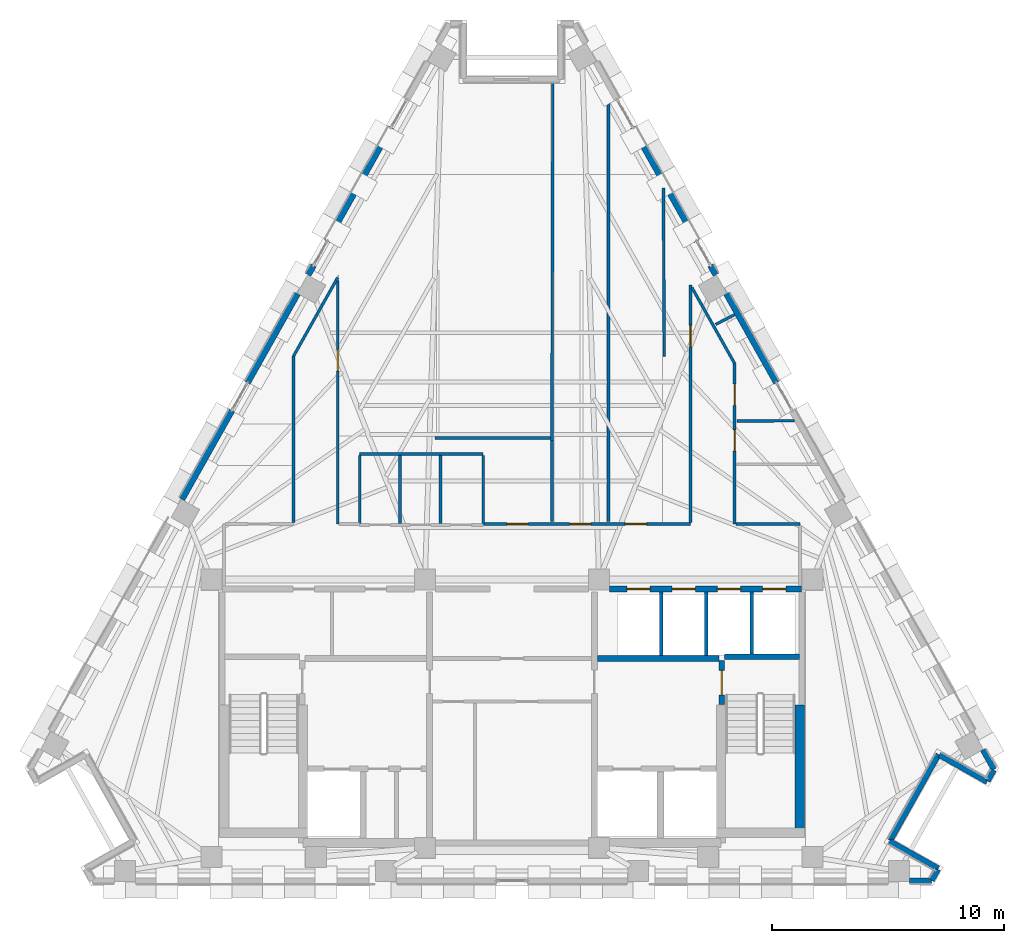
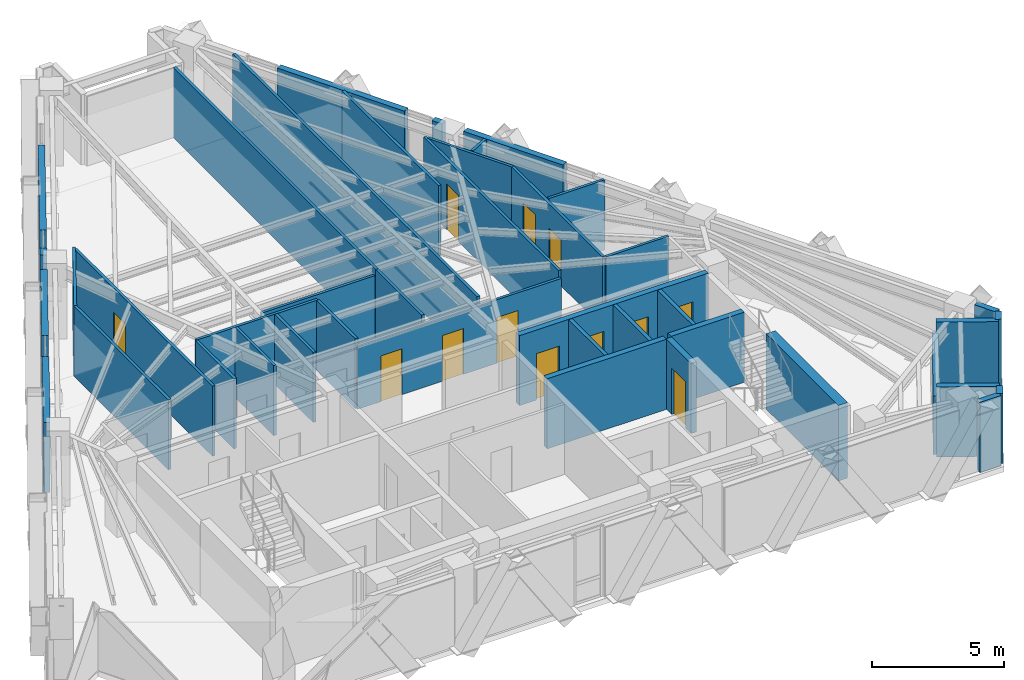
# One storey, part 8 of 13: 42 walls, 12 doors, 12 openings.
"""IFC4 building model written with IfcOpenShell, lengths in metres."""

from ifc_helpers import new_model, si_unit, direction, frame, frame_2d, origin, place, context, subcontext, project, spatial, rectangle, extrude, material, layer, layer_set, type_object, element, fill, save


model = new_model("IFC4")

# Units and contexts
model_context = context("Model", 3, precision=1e-05, world=origin(), true_north=direction((0.0, 1.0)))
body_context = subcontext(model_context, "Body", "Model", "MODEL_VIEW")
ifc_project = project(units=[si_unit("LENGTHUNIT", "METRE"), si_unit("AREAUNIT", "SQUARE_METRE"), si_unit("VOLUMEUNIT", "CUBIC_METRE"), si_unit("PLANEANGLEUNIT", "RADIAN"), si_unit("MASSUNIT", "GRAM", prefix="KILO")], contexts=[model_context])

# Site, building, storey
site_placement = place(None, origin())
site = spatial("IfcSite", under=ifc_project, at=site_placement, CompositionType="ELEMENT")
building_placement = place(site_placement, origin())
building = spatial("IfcBuilding", under=site, at=building_placement, Name="Quenlor Broadcast Tower", CompositionType="ELEMENT")
storey_placement = place(building_placement, frame((0.0, 0.0, 207.89990234375)))
storey = spatial("IfcBuildingStorey", under=building, at=storey_placement, Name="L57", CompositionType="ELEMENT", Elevation=207.89990234375)

# Wall
ifc_material_1 = material(Name="Concrete C50/60", Category="concrete")
ifc_layer_1 = layer(ifc_material_1, 0.39990234375)
ifc_layer_set_1 = layer_set([ifc_layer_1], Name="Core Concrete C50/60 Shear Wall 400")
wall_type_1 = type_object("IfcWallType", Name="Core Concrete C50/60 Shear Wall 400", PredefinedType="SHEAR", material=ifc_layer_set_1)
wall_1_placement = place(storey_placement, frame((12.39990234375, -15.699951171875, 0.0), z_axis=(0.0, 0.0, 1.0), x_axis=(0.0, 1.0, 0.0)))
element("IfcWall", 1, at=wall_1_placement, inside=storey, type_object=wall_type_1, Name="L57 Core Shear Wall WF-E", PredefinedType="SHEAR", context=body_context, shape_type="SweptSolid", body=[
    extrude(rectangle(XDim=5.5, YDim=0.39990234375, at=frame_2d((2.75, 0.0))), origin(), (0.0, 0.0, 1.0), 3.5),
])

# Wall, opening, door
ifc_material_2 = material(Name="Concrete C40/50", Category="concrete")
ifc_layer_2 = layer(ifc_material_2, 0.25)
ifc_layer_set_2 = layer_set([ifc_layer_2], Name="Fire Rated Concrete C40/50 Core Wall 250")
wall_type_2 = type_object("IfcWallType", Name="Fire Rated Concrete C40/50 Core Wall 250", PredefinedType="PARTITIONING", material=ifc_layer_set_2)
wall_2_placement = place(storey_placement, frame((9.0400390625, -10.179931640625, 0.0), z_axis=(0.0, 0.0, 1.0), x_axis=(0.0, 1.0, 0.0)))
wall_2 = element("IfcWall", 2, at=wall_2_placement, inside=storey, type_object=wall_type_2, Name="L57 Interior Wall CW-ST2-DR", PredefinedType="PARTITIONING", context=body_context, shape_type="SweptSolid", body=[
    extrude(rectangle(XDim=1.89990234375, YDim=0.25, at=frame_2d((0.949951171875, 0.0))), origin(), (0.0, 0.0, 1.0), 3.25),
])
opening_1_placement = place(wall_2_placement, frame((0.419921875, 0.0, 0.0)))
opening_1 = element("IfcOpeningElement", 3, at=opening_1_placement, cuts=wall_2, Name="Opening FD-1", PredefinedType="OPENING", context=body_context, shape_type="SweptSolid", body=[
    extrude(rectangle(XDim=1.050048828125, YDim=2.14990234375, at=frame_2d((0.52490234375, 1.074951171875))), frame((0.0, 0.135009765625, 0.0), z_axis=(0.0, -1.0, 0.0), x_axis=(1.0, 0.0, 0.0)), (0.0, 0.0, 1.0), 0.27001953125),
])
ifc_material_3 = material(Name="Fire Rated Steel Door Leaf", Category="steel")
door_type_1 = type_object("IfcDoorType", Name="Fire Isolated Stair Door 1050x2150", OperationType="NOTDEFINED", PredefinedType="DOOR", material=ifc_material_3)
door_1_placement = place(opening_1_placement, origin())
door_1 = element("IfcDoor", 4, at=door_1_placement, inside=storey, type_object=door_type_1, Name="L57 Door DR-ST2", OperationType="SINGLE_SWING_RIGHT", OverallHeight=2.14990234375, OverallWidth=1.050048828125, PredefinedType="DOOR", context=body_context, shape_type="SweptSolid", body=[
    extrude(rectangle(XDim=1.050048828125, YDim=2.14990234375, at=frame_2d((0.52490234375, 1.074951171875))), frame((0.0, 0.02490234375, 0.0), z_axis=(0.0, -1.0, 0.0), x_axis=(1.0, 0.0, 0.0)), (0.0, 0.0, 1.0), 0.050048828125),
])
fill(opening_1, door_1)

# Walls
wall_3_placement = place(storey_placement, frame((9.159912109375, -8.1201171875, 0.0), z_axis=(0.0, 0.0, 1.0), x_axis=(1.0, 0.0, 0.0)))
element("IfcWall", 5, at=wall_3_placement, inside=storey, type_object=wall_type_2, Name="L57 Interior Wall CW-ST2-N", PredefinedType="PARTITIONING", context=body_context, shape_type="SweptSolid", body=[
    extrude(rectangle(XDim=3.219970703125, YDim=0.25, at=frame_2d((1.60986328125, 0.0))), origin(), (0.0, 0.0, 1.0), 3.25),
])
wall_4_placement = place(storey_placement, frame((3.679931640625, -8.199951171875, 0.0), z_axis=(0.0, 0.0, 1.0), x_axis=(1.0, 0.0, 0.0)))
element("IfcWall", 6, at=wall_4_placement, inside=storey, type_object=wall_type_2, Name="L57 Interior Wall CW-FFE-N", PredefinedType="PARTITIONING", context=body_context, shape_type="SweptSolid", body=[
    extrude(rectangle(XDim=5.239990234375, YDim=0.25, at=frame_2d((2.6201171875, 0.0))), origin(), (0.0, 0.0, 1.0), 3.25),
])

# Wall, openings, doors
wall_5_placement = place(storey_placement, frame((4.201904296875, -5.199951171875, 0.0), z_axis=(0.0, 0.0, 1.0), x_axis=(1.0, 0.0, 0.0)))
wall_5 = element("IfcWall", 7, at=wall_5_placement, inside=storey, type_object=wall_type_2, Name="L57 Interior Wall CW-N-E", PredefinedType="PARTITIONING", context=body_context, shape_type="SweptSolid", body=[
    extrude(rectangle(XDim=8.278076171875, YDim=0.25, at=frame_2d((4.13916015625, 0.0))), origin(), (0.0, 0.0, 1.0), 3.25),
])
opening_2_placement = place(wall_5_placement, frame((0.748046875, 0.0, 0.0)))
opening_2 = element("IfcOpeningElement", 8, at=opening_2_placement, cuts=wall_5, Name="Opening LD-PL-H1", PredefinedType="OPENING", context=body_context, shape_type="SweptSolid", body=[
    extrude(rectangle(XDim=1.0, YDim=2.14990234375, at=frame_2d((0.5, 1.074951171875))), frame((0.0, 0.135009765625, 0.0), z_axis=(0.0, -1.0, 0.0), x_axis=(1.0, 0.0, 0.0)), (0.0, 0.0, 1.0), 0.27001953125),
])
opening_3_placement = place(wall_5_placement, frame((2.697998046875, 0.0, 0.0)))
opening_3 = element("IfcOpeningElement", 9, at=opening_3_placement, cuts=wall_5, Name="Opening LD-PL-H2", PredefinedType="OPENING", context=body_context, shape_type="SweptSolid", body=[
    extrude(rectangle(XDim=1.0, YDim=2.14990234375, at=frame_2d((0.5, 1.074951171875))), frame((0.0, 0.135009765625, 0.0), z_axis=(0.0, -1.0, 0.0), x_axis=(1.0, 0.0, 0.0)), (0.0, 0.0, 1.0), 0.27001953125),
])
opening_4_placement = place(wall_5_placement, frame((4.64794921875, 0.0, 0.0)))
opening_4 = element("IfcOpeningElement", 10, at=opening_4_placement, cuts=wall_5, Name="Opening LD-PL-H3", PredefinedType="OPENING", context=body_context, shape_type="SweptSolid", body=[
    extrude(rectangle(XDim=1.0, YDim=2.14990234375, at=frame_2d((0.5, 1.074951171875))), frame((0.0, 0.135009765625, 0.0), z_axis=(0.0, -1.0, 0.0), x_axis=(1.0, 0.0, 0.0)), (0.0, 0.0, 1.0), 0.27001953125),
])
opening_5_placement = place(wall_5_placement, frame((6.597900390625, 0.0, 0.0)))
opening_5 = element("IfcOpeningElement", 11, at=opening_5_placement, cuts=wall_5, Name="Opening LD-PL-H4", PredefinedType="OPENING", context=body_context, shape_type="SweptSolid", body=[
    extrude(rectangle(XDim=1.0, YDim=2.14990234375, at=frame_2d((0.5, 1.074951171875))), frame((0.0, 0.135009765625, 0.0), z_axis=(0.0, -1.0, 0.0), x_axis=(1.0, 0.0, 0.0)), (0.0, 0.0, 1.0), 0.27001953125),
])
ifc_material_4 = material(Name="Brushed Stainless Steel", Category="steel")
door_type_2 = type_object("IfcDoorType", Name="Passenger Lift Sliding Landing Door 1000x2150", OperationType="NOTDEFINED", PredefinedType="DOOR", material=ifc_material_4)
door_2_placement = place(opening_2_placement, origin())
door_2 = element("IfcDoor", 12, at=door_2_placement, inside=storey, type_object=door_type_2, Name="L57 Door LD-PL-H1", OperationType="SLIDING_TO_RIGHT", OverallHeight=2.14990234375, OverallWidth=1.0, PredefinedType="DOOR", context=body_context, shape_type="SweptSolid", body=[
    extrude(rectangle(XDim=1.0, YDim=2.14990234375, at=frame_2d((0.5, 1.074951171875))), frame((0.0, 0.02490234375, 0.0), z_axis=(0.0, -1.0, 0.0), x_axis=(1.0, 0.0, 0.0)), (0.0, 0.0, 1.0), 0.050048828125),
])
fill(opening_2, door_2)
door_3_placement = place(opening_3_placement, origin())
door_3 = element("IfcDoor", 13, at=door_3_placement, inside=storey, type_object=door_type_2, Name="L57 Door LD-PL-H2", OperationType="SLIDING_TO_RIGHT", OverallHeight=2.14990234375, OverallWidth=1.0, PredefinedType="DOOR", context=body_context, shape_type="SweptSolid", body=[
    extrude(rectangle(XDim=1.0, YDim=2.14990234375, at=frame_2d((0.5, 1.074951171875))), frame((0.0, 0.02490234375, 0.0), z_axis=(0.0, -1.0, 0.0), x_axis=(1.0, 0.0, 0.0)), (0.0, 0.0, 1.0), 0.050048828125),
])
fill(opening_3, door_3)
door_4_placement = place(opening_4_placement, origin())
door_4 = element("IfcDoor", 14, at=door_4_placement, inside=storey, type_object=door_type_2, Name="L57 Door LD-PL-H3", OperationType="SLIDING_TO_RIGHT", OverallHeight=2.14990234375, OverallWidth=1.0, PredefinedType="DOOR", context=body_context, shape_type="SweptSolid", body=[
    extrude(rectangle(XDim=1.0, YDim=2.14990234375, at=frame_2d((0.5, 1.074951171875))), frame((0.0, 0.02490234375, 0.0), z_axis=(0.0, -1.0, 0.0), x_axis=(1.0, 0.0, 0.0)), (0.0, 0.0, 1.0), 0.050048828125),
])
fill(opening_4, door_4)
door_5_placement = place(opening_5_placement, origin())
door_5 = element("IfcDoor", 15, at=door_5_placement, inside=storey, type_object=door_type_2, Name="L57 Door LD-PL-H4", OperationType="SLIDING_TO_RIGHT", OverallHeight=2.14990234375, OverallWidth=1.0, PredefinedType="DOOR", context=body_context, shape_type="SweptSolid", body=[
    extrude(rectangle(XDim=1.0, YDim=2.14990234375, at=frame_2d((0.5, 1.074951171875))), frame((0.0, 0.02490234375, 0.0), z_axis=(0.0, -1.0, 0.0), x_axis=(1.0, 0.0, 0.0)), (0.0, 0.0, 1.0), 0.050048828125),
])
fill(opening_5, door_5)

# Walls
ifc_material_5 = material(Name="Gypsum Fireboard Partition", Category="other")
ifc_layer_3 = layer(ifc_material_5, 0.159912109375)
ifc_layer_set_3 = layer_set([ifc_layer_3], Name="Fire Rated Shaft and Corridor Partition 160")
wall_type_3 = type_object("IfcWallType", Name="Fire Rated Shaft and Corridor Partition 160", PredefinedType="PARTITIONING", material=ifc_layer_set_3)
for number, where, z_axis, x_axis, name in (
    (16, (6.425048828125, -8.072998046875, 0.0), (0.0, 0.0, 1.0), (0.0, 1.0, 0.0), "L57 Interior Wall CW-PLH-D1"),
    (17, (8.375, -8.072998046875, 0.0), (0.0, 0.0, 1.0), (0.0, 1.0, 0.0), "L57 Interior Wall CW-PLH-D2"),
):
    element("IfcWall", number, at=place(storey_placement, frame(where, z_axis=z_axis, x_axis=x_axis)), inside=storey, type_object=wall_type_3, Name=name, PredefinedType="PARTITIONING", context=body_context, shape_type="SweptSolid", body=[
        extrude(rectangle(XDim=2.73291015625, YDim=0.159912109375, at=frame_2d((1.366455078125, 0.0))), origin(), (0.0, 0.0, 1.0), 3.25),
    ])
wall_6_placement = place(storey_placement, frame((10.324951171875, -7.992919921875, 0.0), z_axis=(0.0, 0.0, 1.0), x_axis=(0.0, 1.0, 0.0)))
element("IfcWall", 18, at=wall_6_placement, inside=storey, type_object=wall_type_3, Name="L57 Interior Wall CW-PLH-D3", PredefinedType="PARTITIONING", context=body_context, shape_type="SweptSolid", body=[
    extrude(rectangle(XDim=2.65283203125, YDim=0.159912109375, at=frame_2d((1.326416015625, 0.0))), origin(), (0.0, 0.0, 1.0), 3.25),
])
ifc_material_6 = material(Name="Gypsum Plasterboard Partition", Category="other")
ifc_layer_4 = layer(ifc_material_6, 0.1201171875)
ifc_layer_set_4 = layer_set([ifc_layer_4], Name="Standard Office Partition 120")
wall_type_4 = type_object("IfcWallType", Name="Standard Office Partition 120", PredefinedType="PARTITIONING", material=ifc_layer_set_4)
wall_7_placement = place(storey_placement, frame((-6.56005859375, 0.610107421875, 0.0), z_axis=(0.0, 0.0, 1.0), x_axis=(1.0, 0.0, 0.0)))
element("IfcWall", 19, at=wall_7_placement, inside=storey, type_object=wall_type_4, Name="L57 Interior Wall PW-WC-N", PredefinedType="PARTITIONING", context=body_context, shape_type="SweptSolid", body=[
    extrude(rectangle(XDim=5.320068359375, YDim=0.1201171875, at=frame_2d((2.66015625, 0.0))), origin(), (0.0, 0.0, 1.0), 3.25),
])
for number, where, z_axis, x_axis, name in (
    (20, (-6.56005859375, -2.3779296875, 0.0), (0.0, 0.0, 1.0), (0.0, 1.0, 0.0), "L57 Interior Wall PW-WC-W"),
    (21, (-4.820068359375, -2.3779296875, 0.0), (0.0, 0.0, 1.0), (0.0, 1.0, 0.0), "L57 Interior Wall PW-WC-M1"),
    (22, (-3.080078125, -2.3779296875, 0.0), (0.0, 0.0, 1.0), (0.0, 1.0, 0.0), "L57 Interior Wall PW-WC-M2"),
    (23, (-1.239990234375, -2.3779296875, 0.0), (0.0, 0.0, 1.0), (0.0, 1.0, 0.0), "L57 Interior Wall PW-WC-E"),
):
    element("IfcWall", number, at=place(storey_placement, frame(where, z_axis=z_axis, x_axis=x_axis)), inside=storey, type_object=wall_type_4, Name=name, PredefinedType="PARTITIONING", context=body_context, shape_type="SweptSolid", body=[
        extrude(rectangle(XDim=2.926025390625, YDim=0.1201171875, at=frame_2d((1.462890625, 0.0))), origin(), (0.0, 0.0, 1.0), 3.25),
    ])
wall_8_placement = place(storey_placement, frame((-9.409912109375, -2.337890625, 0.0), z_axis=(0.0, 0.0, 1.0), x_axis=(0.0, 1.0, 0.0)))
element("IfcWall", 24, at=wall_8_placement, inside=storey, type_object=wall_type_4, Name="L57 Interior Wall PW-CR-03", PredefinedType="PARTITIONING", context=body_context, shape_type="SweptSolid", body=[
    extrude(rectangle(XDim=7.173828125, YDim=0.1201171875, at=frame_2d((3.5869140625, 0.0))), origin(), (0.0, 0.0, 1.0), 3.25),
])
wall_9_placement = place(storey_placement, frame((-9.408935546875, 4.837890625, 0.0), z_axis=(0.0, 0.0, 1.0), x_axis=(0.490276203052, 0.871567120032, 0.0)))
element("IfcWall", 25, at=wall_9_placement, inside=storey, type_object=wall_type_4, Name="L57 Interior Wall PW-CR-04", PredefinedType="PARTITIONING", context=body_context, shape_type="SweptSolid", body=[
    extrude(rectangle(XDim=3.873291015625, YDim=0.1201171875, at=frame_2d((1.9365234375, 0.0))), origin(), (0.0, 0.0, 1.0), 3.25),
])

# Wall, opening, door
wall_10_placement = place(storey_placement, frame((-7.510009765625, 8.087158203125, 0.0), z_axis=(0.0, 0.0, 1.0), x_axis=(0.0, -1.0, 0.0)))
wall_10 = element("IfcWall", 26, at=wall_10_placement, inside=storey, type_object=wall_type_4, Name="L57 Interior Wall PW-CR-05", PredefinedType="PARTITIONING", context=body_context, shape_type="SweptSolid", body=[
    extrude(rectangle(XDim=10.487060546875, YDim=0.1201171875, at=frame_2d((5.24365234375, 0.0))), origin(), (0.0, 0.0, 1.0), 3.25),
])
opening_6_placement = place(wall_10_placement, frame((2.97900390625, 0.0, 0.0)))
opening_6 = element("IfcOpeningElement", 27, at=opening_6_placement, cuts=wall_10, Name="Opening ID-1", PredefinedType="OPENING", context=body_context, shape_type="SweptSolid", body=[
    extrude(rectangle(XDim=0.919921875, YDim=2.1201171875, at=frame_2d((0.4599609375, 1.06005859375))), frame((0.0, 0.070068359375, 0.0), z_axis=(0.0, -1.0, 0.0), x_axis=(1.0, 0.0, 0.0)), (0.0, 0.0, 1.0), 0.14013671875),
])
ifc_material_7 = material(Name="Solid Core Timber Oak", Category="wood")
door_type_3 = type_object("IfcDoorType", Name="Single Leaf Timber Office Door 920x2120", OperationType="NOTDEFINED", PredefinedType="DOOR", material=ifc_material_7)
door_6_placement = place(opening_6_placement, origin())
door_6 = element("IfcDoor", 28, at=door_6_placement, inside=storey, type_object=door_type_3, Name="L57 Door DR-RM01", OperationType="SINGLE_SWING_LEFT", OverallHeight=2.1201171875, OverallWidth=0.919921875, PredefinedType="DOOR", context=body_context, shape_type="SweptSolid", body=[
    extrude(rectangle(XDim=0.919921875, YDim=2.1201171875, at=frame_2d((0.4599609375, 1.06005859375))), frame((0.0, 0.02490234375, 0.0), z_axis=(0.0, -1.0, 0.0), x_axis=(1.0, 0.0, 0.0)), (0.0, 0.0, 1.0), 0.050048828125),
])
fill(opening_6, door_6)

# Wall, openings, doors
wall_11_placement = place(storey_placement, frame((-1.238037109375, -2.39990234375, 0.0), z_axis=(0.0, 0.0, 1.0), x_axis=(1.0, 0.0, 0.0)))
wall_11 = element("IfcWall", 29, at=wall_11_placement, inside=storey, type_object=wall_type_4, Name="L57 Interior Wall PW-CR-06S2", PredefinedType="PARTITIONING", context=body_context, shape_type="SweptSolid", body=[
    extrude(rectangle(XDim=8.927978515625, YDim=0.1201171875, at=frame_2d((4.4638671875, 0.0))), origin(), (0.0, 0.0, 1.0), 2.94287109375),
])
opening_7_placement = place(wall_11_placement, frame((3.718017578125, 0.0, 0.0)))
opening_7 = element("IfcOpeningElement", 30, at=opening_7_placement, cuts=wall_11, Name="Opening ID-1", PredefinedType="OPENING", context=body_context, shape_type="SweptSolid", body=[
    extrude(rectangle(XDim=0.919921875, YDim=2.1201171875, at=frame_2d((0.4599609375, 1.06005859375))), frame((0.0, 0.070068359375, 0.0), z_axis=(0.0, -1.0, 0.0), x_axis=(1.0, 0.0, 0.0)), (0.0, 0.0, 1.0), 0.14013671875),
])
opening_8_placement = place(wall_11_placement, frame((6.117919921875, 0.0, 0.0)))
opening_8 = element("IfcOpeningElement", 31, at=opening_8_placement, cuts=wall_11, Name="Opening ID-1", PredefinedType="OPENING", context=body_context, shape_type="SweptSolid", body=[
    extrude(rectangle(XDim=0.919921875, YDim=2.1201171875, at=frame_2d((0.4599609375, 1.06005859375))), frame((0.0, 0.070068359375, 0.0), z_axis=(0.0, -1.0, 0.0), x_axis=(1.0, 0.0, 0.0)), (0.0, 0.0, 1.0), 0.14013671875),
])
opening_9_placement = place(wall_11_placement, frame((1.028076171875, 0.0, 0.0)))
opening_9 = element("IfcOpeningElement", 32, at=opening_9_placement, cuts=wall_11, Name="Opening ID-1", PredefinedType="OPENING", context=body_context, shape_type="SweptSolid", body=[
    extrude(rectangle(XDim=0.919921875, YDim=2.1201171875, at=frame_2d((0.4599609375, 1.06005859375))), frame((0.0, 0.070068359375, 0.0), z_axis=(0.0, -1.0, 0.0), x_axis=(1.0, 0.0, 0.0)), (0.0, 0.0, 1.0), 0.14013671875),
])
door_7_placement = place(opening_7_placement, origin())
door_7 = element("IfcDoor", 33, at=door_7_placement, inside=storey, type_object=door_type_3, Name="L57 Door DR-RM03", OperationType="SINGLE_SWING_LEFT", OverallHeight=2.1201171875, OverallWidth=0.919921875, PredefinedType="DOOR", context=body_context, shape_type="SweptSolid", body=[
    extrude(rectangle(XDim=0.919921875, YDim=2.1201171875, at=frame_2d((0.4599609375, 1.06005859375))), frame((0.0, 0.02490234375, 0.0), z_axis=(0.0, -1.0, 0.0), x_axis=(1.0, 0.0, 0.0)), (0.0, 0.0, 1.0), 0.050048828125),
])
fill(opening_7, door_7)
door_8_placement = place(opening_8_placement, origin())
door_8 = element("IfcDoor", 34, at=door_8_placement, inside=storey, type_object=door_type_3, Name="L57 Door DR-RM04", OperationType="SINGLE_SWING_RIGHT", OverallHeight=2.1201171875, OverallWidth=0.919921875, PredefinedType="DOOR", context=body_context, shape_type="SweptSolid", body=[
    extrude(rectangle(XDim=0.919921875, YDim=2.1201171875, at=frame_2d((0.4599609375, 1.06005859375))), frame((0.0, 0.02490234375, 0.0), z_axis=(0.0, -1.0, 0.0), x_axis=(1.0, 0.0, 0.0)), (0.0, 0.0, 1.0), 0.050048828125),
])
fill(opening_8, door_8)
door_9_placement = place(opening_9_placement, origin())
door_9 = element("IfcDoor", 35, at=door_9_placement, inside=storey, type_object=door_type_3, Name="L57 Door DR-RM07", OperationType="SINGLE_SWING_LEFT", OverallHeight=2.1201171875, OverallWidth=0.919921875, PredefinedType="DOOR", context=body_context, shape_type="SweptSolid", body=[
    extrude(rectangle(XDim=0.919921875, YDim=2.1201171875, at=frame_2d((0.4599609375, 1.06005859375))), frame((0.0, 0.02490234375, 0.0), z_axis=(0.0, -1.0, 0.0), x_axis=(1.0, 0.0, 0.0)), (0.0, 0.0, 1.0), 0.050048828125),
])
fill(opening_9, door_9)

# Wall, opening, door
wall_12_placement = place(storey_placement, frame((7.68994140625, -2.337890625, 0.0), z_axis=(0.0, 0.0, 1.0), x_axis=(0.0, 1.0, 0.0)))
wall_12 = element("IfcWall", 36, at=wall_12_placement, inside=storey, type_object=wall_type_4, Name="L57 Interior Wall PW-CR-07", PredefinedType="PARTITIONING", context=body_context, shape_type="SweptSolid", body=[
    extrude(rectangle(XDim=10.231689453125, YDim=0.1201171875, at=frame_2d((5.11572265625, 0.0))), origin(), (0.0, 0.0, 1.0), 3.25),
])
opening_10_placement = place(wall_12_placement, frame((7.571044921875, 0.0, 0.0)))
opening_10 = element("IfcOpeningElement", 37, at=opening_10_placement, cuts=wall_12, Name="Opening ID-1", PredefinedType="OPENING", context=body_context, shape_type="SweptSolid", body=[
    extrude(rectangle(XDim=0.919921875, YDim=2.1201171875, at=frame_2d((0.4599609375, 1.06005859375))), frame((0.0, 0.070068359375, 0.0), z_axis=(0.0, -1.0, 0.0), x_axis=(1.0, 0.0, 0.0)), (0.0, 0.0, 1.0), 0.14013671875),
])
door_10_placement = place(opening_10_placement, origin())
door_10 = element("IfcDoor", 38, at=door_10_placement, inside=storey, type_object=door_type_3, Name="L57 Door DR-RM02", OperationType="SINGLE_SWING_RIGHT", OverallHeight=2.1201171875, OverallWidth=0.919921875, PredefinedType="DOOR", context=body_context, shape_type="SweptSolid", body=[
    extrude(rectangle(XDim=0.919921875, YDim=2.1201171875, at=frame_2d((0.4599609375, 1.06005859375))), frame((0.0, 0.02490234375, 0.0), z_axis=(0.0, -1.0, 0.0), x_axis=(1.0, 0.0, 0.0)), (0.0, 0.0, 1.0), 0.050048828125),
])
fill(opening_10, door_10)

# Wall
wall_13_placement = place(storey_placement, frame((7.751953125, 7.783447265625, 0.0), z_axis=(0.0, 0.0, 1.0), x_axis=(0.490285973315, -0.871561623966, 0.0)))
element("IfcWall", 39, at=wall_13_placement, inside=storey, type_object=wall_type_4, Name="L57 Interior Wall PW-CR-08", PredefinedType="PARTITIONING", context=body_context, shape_type="SweptSolid", body=[
    extrude(rectangle(XDim=3.7490234375, YDim=0.1201171875, at=frame_2d((1.87451171875, 0.0))), origin(), (0.0, 0.0, 1.0), 3.25),
])

# Wall, openings, doors
wall_14_placement = place(storey_placement, frame((9.590087890625, 4.513671875, 0.0), z_axis=(0.0, 0.0, 1.0), x_axis=(0.0, -1.0, 0.0)))
wall_14 = element("IfcWall", 40, at=wall_14_placement, inside=storey, type_object=wall_type_4, Name="L57 Interior Wall PW-CR-09", PredefinedType="PARTITIONING", context=body_context, shape_type="SweptSolid", body=[
    extrude(rectangle(XDim=6.91357421875, YDim=0.1201171875, at=frame_2d((3.456787109375, 0.0))), origin(), (0.0, 0.0, 1.0), 3.25),
])
opening_11_placement = place(wall_14_placement, frame((0.889892578125, 0.0, 0.0)))
opening_11 = element("IfcOpeningElement", 41, at=opening_11_placement, cuts=wall_14, Name="Opening ID-1", PredefinedType="OPENING", context=body_context, shape_type="SweptSolid", body=[
    extrude(rectangle(XDim=0.919921875, YDim=2.1201171875, at=frame_2d((0.4599609375, 1.06005859375))), frame((0.0, 0.070068359375, 0.0), z_axis=(0.0, -1.0, 0.0), x_axis=(1.0, 0.0, 0.0)), (0.0, 0.0, 1.0), 0.14013671875),
])
opening_12_placement = place(wall_14_placement, frame((2.860107421875, 0.0, 0.0)))
opening_12 = element("IfcOpeningElement", 42, at=opening_12_placement, cuts=wall_14, Name="Opening ID-1", PredefinedType="OPENING", context=body_context, shape_type="SweptSolid", body=[
    extrude(rectangle(XDim=0.919921875, YDim=2.1201171875, at=frame_2d((0.4599609375, 1.06005859375))), frame((0.0, 0.070068359375, 0.0), z_axis=(0.0, -1.0, 0.0), x_axis=(1.0, 0.0, 0.0)), (0.0, 0.0, 1.0), 0.14013671875),
])
door_11_placement = place(opening_11_placement, origin())
door_11 = element("IfcDoor", 43, at=door_11_placement, inside=storey, type_object=door_type_3, Name="L57 Door DR-RM05", OperationType="SINGLE_SWING_LEFT", OverallHeight=2.1201171875, OverallWidth=0.919921875, PredefinedType="DOOR", context=body_context, shape_type="SweptSolid", body=[
    extrude(rectangle(XDim=0.919921875, YDim=2.1201171875, at=frame_2d((0.4599609375, 1.06005859375))), frame((0.0, 0.02490234375, 0.0), z_axis=(0.0, -1.0, 0.0), x_axis=(1.0, 0.0, 0.0)), (0.0, 0.0, 1.0), 0.050048828125),
])
fill(opening_11, door_11)
door_12_placement = place(opening_12_placement, origin())
door_12 = element("IfcDoor", 44, at=door_12_placement, inside=storey, type_object=door_type_3, Name="L57 Door DR-RM06", OperationType="SINGLE_SWING_RIGHT", OverallHeight=2.1201171875, OverallWidth=0.919921875, PredefinedType="DOOR", context=body_context, shape_type="SweptSolid", body=[
    extrude(rectangle(XDim=0.919921875, YDim=2.1201171875, at=frame_2d((0.4599609375, 1.06005859375))), frame((0.0, 0.02490234375, 0.0), z_axis=(0.0, -1.0, 0.0), x_axis=(1.0, 0.0, 0.0)), (0.0, 0.0, 1.0), 0.050048828125),
])
fill(opening_12, door_12)

# Walls
wall_15_placement = place(storey_placement, frame((9.652099609375, -2.39990234375, 0.0), z_axis=(0.0, 0.0, 1.0), x_axis=(1.0, 0.0, 0.0)))
element("IfcWall", 45, at=wall_15_placement, inside=storey, type_object=wall_type_4, Name="L57 Interior Wall PW-CR-10", PredefinedType="PARTITIONING", context=body_context, shape_type="SweptSolid", body=[
    extrude(rectangle(XDim=2.7578125, YDim=0.1201171875, at=frame_2d((1.37890625, 0.0))), origin(), (0.0, 0.0, 1.0), 3.25),
])
wall_16_placement = place(storey_placement, frame((1.760009765625, 16.6298828125, 0.0), z_axis=(0.0, 0.0, 1.0), x_axis=(-0.002610750596, -0.999996591985, 0.0)))
element("IfcWall", 46, at=wall_16_placement, inside=storey, type_object=wall_type_4, Name="L57 Interior Wall PW-DV-01", PredefinedType="PARTITIONING", context=body_context, shape_type="SweptSolid", body=[
    extrude(rectangle(XDim=15.4296875, YDim=0.1201171875, at=frame_2d((7.71484375, 0.0))), origin(), (0.0, 0.0, 1.0), 3.25),
])
wall_17_placement = place(storey_placement, frame((1.657958984375, 1.30029296875, 0.0), z_axis=(0.0, 0.0, 1.0), x_axis=(-1.0, 0.0, 0.0)))
element("IfcWall", 47, at=wall_17_placement, inside=storey, type_object=wall_type_4, Name="L57 Interior Wall PW-DV-02", PredefinedType="PARTITIONING", context=body_context, shape_type="SweptSolid", body=[
    extrude(rectangle(XDim=4.97802734375, YDim=0.1201171875, at=frame_2d((2.489013671875, 0.0))), origin(), (0.0, 0.0, 1.0), 2.94287109375),
])
wall_18_placement = place(storey_placement, frame((6.560546875, 4.809814453125, 0.0), z_axis=(0.0, 0.0, 1.0), x_axis=(-0.005441090986, 0.999985197155, 0.0)))
element("IfcWall", 48, at=wall_18_placement, inside=storey, type_object=wall_type_4, Name="L57 Interior Wall PW-DV-03", PredefinedType="PARTITIONING", context=body_context, shape_type="SweptSolid", body=[
    extrude(rectangle(XDim=7.268798828125, YDim=0.1201171875, at=frame_2d((3.63427734375, 0.0))), origin(), (0.0, 0.0, 1.0), 3.25),
])
wall_19_placement = place(storey_placement, frame((9.592041015625, 6.619140625, 0.0), z_axis=(0.0, 0.0, 1.0), x_axis=(-0.887774537441, -0.460278579418, 0.0)))
element("IfcWall", 49, at=wall_19_placement, inside=storey, type_object=wall_type_4, Name="L57 Interior Wall PW-DV-04", PredefinedType="PARTITIONING", context=body_context, shape_type="SweptSolid", body=[
    extrude(rectangle(XDim=0.92333984375, YDim=0.1201171875, at=frame_2d((0.461669921875, 0.0))), origin(), (0.0, 0.0, 1.0), 3.25),
])
wall_20_placement = place(storey_placement, frame((4.159912109375, 16.276123046875, 0.0), z_axis=(0.0, 0.0, 1.0), x_axis=(0.0, -1.0, 0.0)))
element("IfcWall", 50, at=wall_20_placement, inside=storey, type_object=wall_type_4, Name="L57 Interior Wall PW-DV-05", PredefinedType="PARTITIONING", context=body_context, shape_type="SweptSolid", body=[
    extrude(rectangle(XDim=18.566162109375, YDim=0.1201171875, at=frame_2d((9.283203125, 0.0))), origin(), (0.0, 0.0, 1.0), 3.25),
])
wall_21_placement = place(storey_placement, frame((1.719970703125, -2.2900390625, 0.0), z_axis=(0.0, 0.0, 1.0), x_axis=(0.0, 1.0, 0.0)))
element("IfcWall", 51, at=wall_21_placement, inside=storey, type_object=wall_type_4, Name="L57 Interior Wall PW-DV-06", PredefinedType="PARTITIONING", context=body_context, shape_type="SweptSolid", body=[
    extrude(rectangle(XDim=3.48828125, YDim=0.1201171875, at=frame_2d((1.744140625, 0.0))), origin(), (0.0, 0.0, 1.0), 3.25),
])
wall_22_placement = place(storey_placement, frame((12.16357421875, 2.0478515625, 0.0), z_axis=(0.0, 0.0, 1.0), x_axis=(-0.999976623228, -0.006837616391, 0.0)))
element("IfcWall", 52, at=wall_22_placement, inside=storey, type_object=wall_type_4, Name="L57 Interior Wall PW-DV-07", PredefinedType="PARTITIONING", context=body_context, shape_type="SweptSolid", body=[
    extrude(rectangle(XDim=2.463623046875, YDim=0.1201171875, at=frame_2d((1.23193359375, 0.0))), origin(), (0.0, 0.0, 1.0), 3.25),
])
ifc_material_8 = material(Name="Precast concrete C40/50", Category="concrete")
ifc_layer_5 = layer(ifc_material_8, 0.239990234375)
ifc_layer_set_5 = layer_set([ifc_layer_5], Name="Terrace Threshold Precast Concrete C40/50 Wall 240")
wall_type_5 = type_object("IfcWallType", Name="Terrace Threshold Precast Concrete C40/50 Wall 240", PredefinedType="STANDARD", material=ifc_layer_set_5)
wall_23_placement = place(storey_placement, frame((18.06591796875, -17.77490234375, 0.0), z_axis=(0.0, 0.0, 1.0), x_axis=(-1.0, 0.0, 0.0)))
element("IfcWall", 53, at=wall_23_placement, inside=storey, type_object=wall_type_5, Name="L57 Exterior Wall L57-SHD-SS0", PredefinedType="STANDARD", context=body_context, shape_type="SweptSolid", body=[
    extrude(rectangle(XDim=0.93505859375, YDim=0.239990234375, at=frame_2d((0.467529296875, 0.0))), origin(), (0.0, 0.0, 1.0), 3.25),
])
wall_24_placement = place(storey_placement, frame((20.289794921875, -12.1298828125, 0.0), z_axis=(0.0, 0.0, 1.0), x_axis=(0.490345412687, -0.87152818443, 0.0)))
element("IfcWall", 54, at=wall_24_placement, inside=storey, type_object=wall_type_5, Name="L57 Exterior Wall L57-SHD-NES1", PredefinedType="STANDARD", context=body_context, shape_type="SweptSolid", body=[
    extrude(rectangle(XDim=0.9638671875, YDim=0.239990234375, at=frame_2d((0.48193359375, 0.0))), origin(), (0.0, 0.0, 1.0), 3.25),
])
wall_25_placement = place(storey_placement, frame((18.365966796875, -17.246826171875, 0.0), z_axis=(0.0, 0.0, 1.0), x_axis=(-0.871597270235, 0.490222600988, 0.0)))
element("IfcWall", 55, at=wall_25_placement, inside=storey, type_object=wall_type_5, Name="L57 Exterior Wall L57-CNR-01", PredefinedType="STANDARD", context=body_context, shape_type="SweptSolid", body=[
    extrude(rectangle(XDim=2.39990234375, YDim=0.239990234375, at=frame_2d((1.199951171875, 0.0))), origin(), (0.0, 0.0, 1.0), 3.25),
])
wall_26_placement = place(storey_placement, frame((16.293701171875, -16.035400390625, 0.0), z_axis=(0.0, 0.0, 1.0), x_axis=(0.49027487746, 0.871567865706, 0.0)))
element("IfcWall", 56, at=wall_26_placement, inside=storey, type_object=wall_type_5, Name="L57 Exterior Wall L57-CNR-02", PredefinedType="STANDARD", context=body_context, shape_type="SweptSolid", body=[
    extrude(rectangle(XDim=4.249755859375, YDim=0.239990234375, at=frame_2d((2.125, 0.0))), origin(), (0.0, 0.0, 1.0), 2.721923828125),
])
wall_27_placement = place(storey_placement, frame((18.412109375, -12.351318359375, 0.0), z_axis=(0.0, 0.0, 1.0), x_axis=(0.871578299909, -0.490256327984, 0.0)))
element("IfcWall", 57, at=wall_27_placement, inside=storey, type_object=wall_type_5, Name="L57 Exterior Wall L57-CNR-03", PredefinedType="STANDARD", context=body_context, shape_type="SweptSolid", body=[
    extrude(rectangle(XDim=2.35986328125, YDim=0.239990234375, at=frame_2d((1.179931640625, 0.0))), origin(), (0.0, 0.0, 1.0), 3.25),
])
wall_28_placement = place(storey_placement, frame((20.48876953125, -13.473388671875, 0.0), z_axis=(0.0, 0.0, 1.0), x_axis=(0.490133374867, 0.87164744871, 0.0)))
element("IfcWall", 58, at=wall_28_placement, inside=storey, type_object=wall_type_5, Name="L57 Exterior Wall L57-CNR-04", PredefinedType="STANDARD", context=body_context, shape_type="SweptSolid", body=[
    extrude(rectangle(XDim=0.5439453125, YDim=0.239990234375, at=frame_2d((0.27197265625, 0.0))), origin(), (0.0, 0.0, 1.0), 3.25),
])
wall_29_placement = place(storey_placement, frame((18.081298828125, -17.752685546875, 0.0), z_axis=(0.0, 0.0, 1.0), x_axis=(0.490582915772, 0.871394516136, 0.0)))
element("IfcWall", 59, at=wall_29_placement, inside=storey, type_object=wall_type_5, Name="L57 Exterior Wall L57-CNR-18", PredefinedType="STANDARD", context=body_context, shape_type="SweptSolid", body=[
    extrude(rectangle(XDim=0.54052734375, YDim=0.239990234375, at=frame_2d((0.270263671875, 0.0))), origin(), (0.0, 0.0, 1.0), 3.25),
])
ifc_material_9 = material(Name="Precast concrete C40/50", Category="concrete")
ifc_layer_6 = layer(ifc_material_9, 0.260009765625)
ifc_layer_set_6 = layer_set([ifc_layer_6], Name="Terracotta Precast Concrete C40/50 Upper Wall 260")
wall_type_6 = type_object("IfcWallType", Name="Terracotta Precast Concrete C40/50 Upper Wall 260", PredefinedType="STANDARD", material=ifc_layer_set_6)
wall_30_placement = place(storey_placement, frame((5.2080078125, 14.682373046875, 0.0), z_axis=(0.0, 0.0, 1.0), x_axis=(0.490240608828, -0.871587141631, 0.0)))
element("IfcWall", 60, at=wall_30_placement, inside=storey, type_object=wall_type_6, Name="L57 Exterior Wall L57-NEA-SP2", PredefinedType="STANDARD", context=body_context, shape_type="SweptSolid", body=[
    extrude(rectangle(XDim=5.618408203125, YDim=0.260009765625, at=frame_2d((2.80908203125, 0.0))), origin(), (0.0, 0.0, 1.0), 3.25),
])
wall_31_placement = place(storey_placement, frame((8.551513671875, 8.73828125, 0.0), z_axis=(0.0, 0.0, 1.0), x_axis=(0.490412424957, -0.871490478116, 0.0)))
element("IfcWall", 61, at=wall_31_placement, inside=storey, type_object=wall_type_6, Name="L57 Exterior Wall L57-NEA-SP3", PredefinedType="STANDARD", context=body_context, shape_type="SweptSolid", body=[
    extrude(rectangle(XDim=0.4599609375, YDim=0.260009765625, at=frame_2d((0.22998046875, 0.0))), origin(), (0.0, 0.0, 1.0), 3.25),
])
wall_32_placement = place(storey_placement, frame((9.240478515625, 7.513671875, 0.0), z_axis=(0.0, 0.0, 1.0), x_axis=(0.490237464814, -0.871588910033, 0.0)))
element("IfcWall", 62, at=wall_32_placement, inside=storey, type_object=wall_type_6, Name="L57 Exterior Wall L57-NE-SP1", PredefinedType="STANDARD", context=body_context, shape_type="SweptSolid", body=[
    extrude(rectangle(XDim=4.387939453125, YDim=0.260009765625, at=frame_2d((2.19384765625, 0.0))), origin(), (0.0, 0.0, 1.0), 3.25),
])
wall_33_placement = place(storey_placement, frame((-8.777099609375, 8.33740234375, 0.0), z_axis=(0.0, 0.0, 1.0), x_axis=(0.490412424957, 0.871490478116, 0.0)))
element("IfcWall", 63, at=wall_33_placement, inside=storey, type_object=wall_type_6, Name="L57 Exterior Wall L57-NWC-SP1", PredefinedType="STANDARD", context=body_context, shape_type="SweptSolid", body=[
    extrude(rectangle(XDim=0.4599609375, YDim=0.260009765625, at=frame_2d((0.22998046875, 0.0))), origin(), (0.0, 0.0, 1.0), 3.25),
])
wall_34_placement = place(storey_placement, frame((-7.96240234375, 9.785400390625, 0.0), z_axis=(0.0, 0.0, 1.0), x_axis=(0.490240608828, 0.871587141631, 0.0)))
element("IfcWall", 64, at=wall_34_placement, inside=storey, type_object=wall_type_6, Name="L57 Exterior Wall L57-NWC-SP2", PredefinedType="STANDARD", context=body_context, shape_type="SweptSolid", body=[
    extrude(rectangle(XDim=5.618408203125, YDim=0.260009765625, at=frame_2d((2.80908203125, 0.0))), origin(), (0.0, 0.0, 1.0), 3.25),
])
wall_35_placement = place(storey_placement, frame((-14.21728515625, -1.334228515625, 0.0), z_axis=(0.0, 0.0, 1.0), x_axis=(0.490261239633, 0.871575537125, 0.0)))
element("IfcWall", 65, at=wall_35_placement, inside=storey, type_object=wall_type_6, Name="L57 Exterior Wall L57-NW-SP1", PredefinedType="STANDARD", context=body_context, shape_type="SweptSolid", body=[
    extrude(rectangle(XDim=4.3876953125, YDim=0.260009765625, at=frame_2d((2.19384765625, 0.0))), origin(), (0.0, 0.0, 1.0), 3.25),
])
wall_36_placement = place(storey_placement, frame((-11.3916015625, 3.689208984375, 0.0), z_axis=(0.0, 0.0, 1.0), x_axis=(0.490237464814, 0.871588910033, 0.0)))
element("IfcWall", 66, at=wall_36_placement, inside=storey, type_object=wall_type_6, Name="L57 Exterior Wall L57-NW-SP2", PredefinedType="STANDARD", context=body_context, shape_type="SweptSolid", body=[
    extrude(rectangle(XDim=4.387939453125, YDim=0.260009765625, at=frame_2d((2.19384765625, 0.0))), origin(), (0.0, 0.0, 1.0), 3.25),
])

save(model, "model.ifc")
